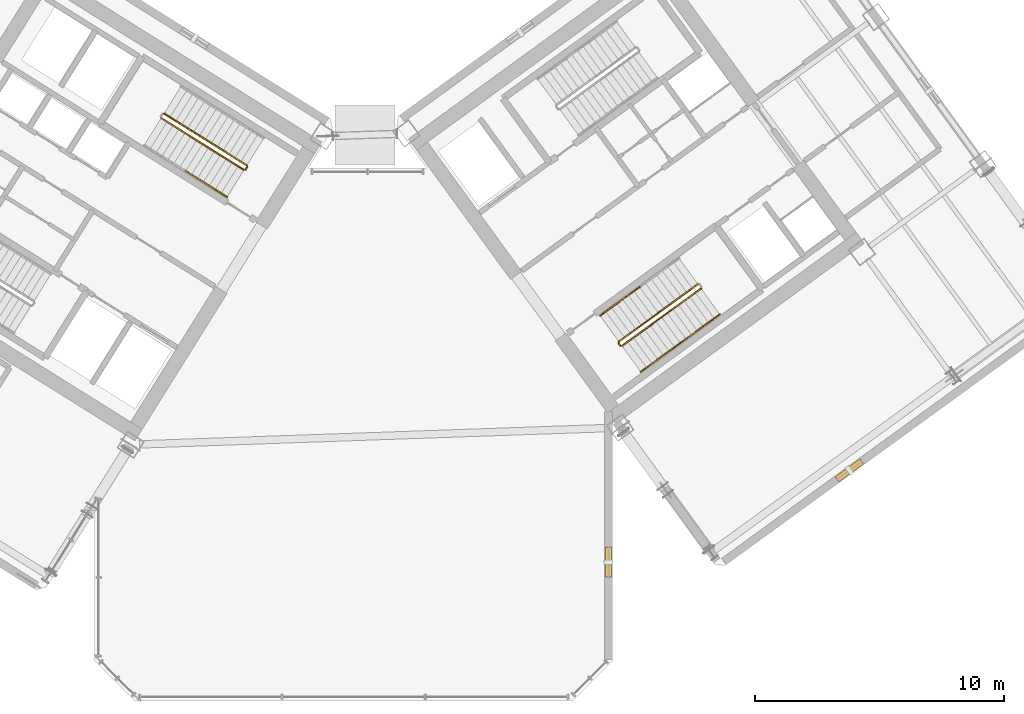
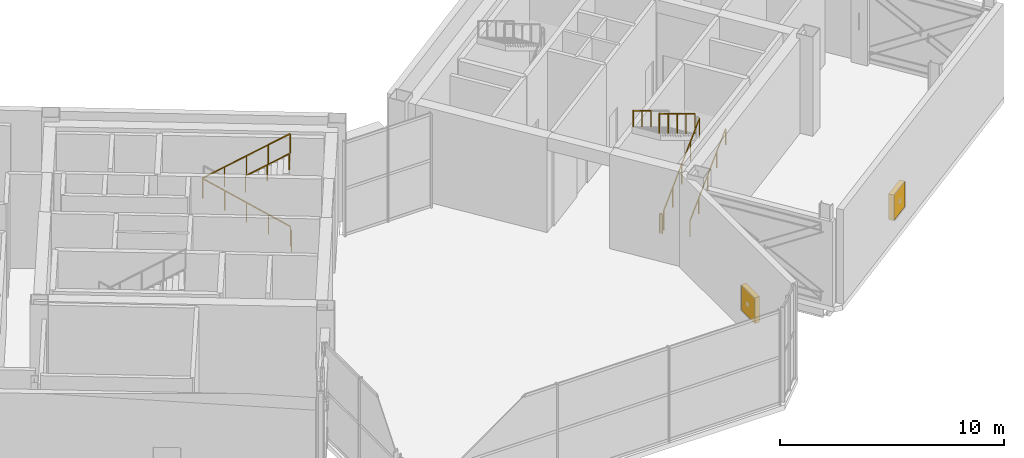
# One storey, part 28 of 30: 10 railings, 2 shading devices.
"""IFC4 building model written with IfcOpenShell, lengths in metres."""

from ifc_helpers import new_model, si_unit, direction, frame, origin, origin_2d, place, context, subcontext, project, spatial, rectangle, extrude, source, transform, mapped, material, type_object, element, save


model = new_model("IFC4")

# Units and contexts
model_context = context("Model", 3, precision=1e-05, world=origin(), true_north=direction((0.0, 1.0)))
body_context = subcontext(model_context, "Body", "Model", "MODEL_VIEW")
ifc_project = project(units=[si_unit("LENGTHUNIT", "METRE"), si_unit("AREAUNIT", "SQUARE_METRE"), si_unit("VOLUMEUNIT", "CUBIC_METRE"), si_unit("PLANEANGLEUNIT", "RADIAN"), si_unit("MASSUNIT", "GRAM", prefix="KILO")], contexts=[model_context])

# Site, building, storey
site_placement = place(None, origin())
site = spatial("IfcSite", under=ifc_project, at=site_placement, CompositionType="ELEMENT")
building_placement = place(site_placement, origin())
building = spatial("IfcBuilding", under=site, at=building_placement, Name="Tlacorven Tower", CompositionType="ELEMENT")
storey_placement = place(building_placement, frame((0.0, 0.0, 169.5)))
storey = spatial("IfcBuildingStorey", under=building, at=storey_placement, Name="L43", CompositionType="ELEMENT", Elevation=169.5)

# Shading devices
ifc_material_1 = material(Name="Anodised bronze aluminium acoustic louvre", Category="aluminium")
shading_device_type = type_object("IfcShadingDeviceType", Name="SH-LVR-WND", PredefinedType="JALOUSIE", material=ifc_material_1)
shared_shape_1 = source(origin(), body_context, "Body", "SweptSolid", [
    extrude(rectangle(XDim=1.2099609375, YDim=0.25, at=origin_2d()), origin(), (0.0, 0.0, 1.0), 1.39990234375),
])
for number, where, z_axis, x_axis, name in (
    (1, (61.909912109375, 11.0556640625, 0.949951171875), (0.0, 0.0, 1.0), (-0.809017097486, -0.587785110372, 0.0), "L43 Storm-Resistant Acoustic Louvre Bank 6.1"),
    (2, (52.239990234375, 7.374267578125, 0.949951171875), (0.0, 0.0, 1.0), (0.0, -1.0, 0.0), "L43 Storm-Resistant Acoustic Louvre Bank 8.1"),
):
    element("IfcShadingDevice", number, at=place(storey_placement, frame(where, z_axis=z_axis, x_axis=x_axis)), inside=storey, type_object=shading_device_type, Name=name, PredefinedType="JALOUSIE", context=body_context, shape_type="MappedRepresentation", body=[
        mapped(shared_shape_1, transform((0.0, 0.0, 0.0), scale=1.0)),
    ])

# Railings
ifc_material_2 = material(Name="Aluminium and painted steel balustrade", Category="steel")
railing_type_1 = type_object("IfcRailingType", Name="RL-GRD-1100", PredefinedType="GUARDRAIL", material=ifc_material_2)
shared_shape_2 = source(origin(), body_context, "Body", "SweptSolid", [
    extrude(rectangle(XDim=0.048095703125, YDim=0.048095703125, at=origin_2d()), frame((0.0, 0.0, 1.076171875), z_axis=(-0.530546985787, -0.847655529016, 0.0), x_axis=(0.847655529016, -0.530546985787, 0.0)), (0.0, 0.0, 1.0), 0.1201171875),
    extrude(rectangle(XDim=0.0419921875, YDim=0.0419921875, at=origin_2d()), origin(), (0.0, 0.0, 1.0), 1.052001953125),
    extrude(rectangle(XDim=0.0419921875, YDim=0.0419921875, at=origin_2d()), frame((-0.063720703125, -0.101806640625, 0.0)), (0.0, 0.0, 1.0), 1.052001953125),
])
railing_1_placement = place(storey_placement, frame((37.728271484375, 23.24072265625, 0.0)))
element("IfcRailing", 3, at=railing_1_placement, inside=storey, type_object=railing_type_1, Name="L43 ST-W2 stair guard 4", PredefinedType="GUARDRAIL", context=body_context, shape_type="MappedRepresentation", body=[
    mapped(shared_shape_2, transform((0.0, 0.0, 0.0), scale=1.0)),
])
shared_shape_3 = source(origin(), body_context, "Body", "SweptSolid", [
    extrude(rectangle(XDim=0.048095703125, YDim=0.048095703125, at=origin_2d()), frame((0.0, 0.0, 1.076171875), z_axis=(-0.713353726602, 0.445741297439, 0.540778287749), x_axis=(-0.52990936055, -0.848054284584, 0.0)), (0.0, 0.0, 1.0), 4.659912109375),
    extrude(rectangle(XDim=0.0419921875, YDim=0.0419921875, at=origin_2d()), origin(), (0.0, 0.0, 1.0), 1.052001953125),
    extrude(rectangle(XDim=0.0419921875, YDim=0.0419921875, at=origin_2d()), frame((-0.8310546875, 0.519287109375, 0.6298828125)), (0.0, 0.0, 1.0), 1.052001953125),
    extrude(rectangle(XDim=0.0419921875, YDim=0.0419921875, at=origin_2d()), frame((-1.662109375, 1.03857421875, 1.260009765625)), (0.0, 0.0, 1.0), 1.052001953125),
    extrude(rectangle(XDim=0.0419921875, YDim=0.0419921875, at=origin_2d()), frame((-2.4931640625, 1.557861328125, 1.89013671875)), (0.0, 0.0, 1.0), 1.052001953125),
    extrude(rectangle(XDim=0.0419921875, YDim=0.0419921875, at=origin_2d()), frame((-3.32421875, 2.0771484375, 2.52001953125)), (0.0, 0.0, 1.0), 1.052001953125),
])
railing_2_placement = place(storey_placement, frame((37.712158203125, 23.3095703125, 0.179931640625)))
element("IfcRailing", 4, at=railing_2_placement, inside=storey, type_object=railing_type_1, Name="L43 ST-W2 stair guard 1", PredefinedType="GUARDRAIL", context=body_context, shape_type="MappedRepresentation", body=[
    mapped(shared_shape_3, transform((0.0, 0.0, 0.0), scale=1.0)),
])
shared_shape_4 = source(origin(), body_context, "Body", "SweptSolid", [
    extrude(rectangle(XDim=0.048095703125, YDim=0.048095703125, at=origin_2d()), frame((0.0, 0.0, 1.076171875), z_axis=(0.713379455689, -0.445724638981, 0.540758077523), x_axis=(0.529881371968, 0.848071772695, 0.0)), (0.0, 0.0, 1.0), 4.66015625),
    extrude(rectangle(XDim=0.0419921875, YDim=0.0419921875, at=origin_2d()), origin(), (0.0, 0.0, 1.0), 1.052001953125),
    extrude(rectangle(XDim=0.0419921875, YDim=0.0419921875, at=origin_2d()), frame((0.8310546875, -0.519287109375, 0.6298828125)), (0.0, 0.0, 1.0), 1.052001953125),
    extrude(rectangle(XDim=0.0419921875, YDim=0.0419921875, at=origin_2d()), frame((1.662109375, -1.03857421875, 1.260009765625)), (0.0, 0.0, 1.0), 1.052001953125),
    extrude(rectangle(XDim=0.0419921875, YDim=0.0419921875, at=origin_2d()), frame((2.493408203125, -1.557861328125, 1.89013671875)), (0.0, 0.0, 1.0), 1.052001953125),
    extrude(rectangle(XDim=0.0419921875, YDim=0.0419921875, at=origin_2d()), frame((3.324462890625, -2.0771484375, 2.52001953125)), (0.0, 0.0, 1.0), 1.052001953125),
])
railing_3_placement = place(storey_placement, frame((34.271240234375, 25.2001953125, 2.8798828125)))
element("IfcRailing", 5, at=railing_3_placement, inside=storey, type_object=railing_type_1, Name="L43 ST-W2 stair guard 3", PredefinedType="GUARDRAIL", context=body_context, shape_type="MappedRepresentation", body=[
    mapped(shared_shape_4, transform((0.0, 0.0, 0.0), scale=1.0)),
])
railing_type_2 = type_object("IfcRailingType", Name="RL-HND-0900", PredefinedType="HANDRAIL", material=ifc_material_2)
shared_shape_5 = source(origin(), body_context, "Body", "SweptSolid", [
    extrude(rectangle(XDim=0.048095703125, YDim=0.048095703125, at=origin_2d()), frame((0.0, 0.0, 0.8759765625), z_axis=(0.713371865327, -0.445791935228, 0.540712615208), x_axis=(0.529942963146, 0.848033286971, 0.0)), (0.0, 0.0, 1.0), 2.330322265625),
    extrude(rectangle(XDim=0.0419921875, YDim=0.0419921875, at=origin_2d()), origin(), (0.0, 0.0, 1.0), 0.851806640625),
    extrude(rectangle(XDim=0.0419921875, YDim=0.0419921875, at=origin_2d()), frame((0.8310546875, -0.51953125, 0.6298828125)), (0.0, 0.0, 1.0), 0.851806640625),
    extrude(rectangle(XDim=0.0419921875, YDim=0.0419921875, at=origin_2d()), frame((1.662353515625, -1.038818359375, 1.260009765625)), (0.0, 0.0, 1.0), 0.851806640625),
])
railing_4_placement = place(storey_placement, frame((35.255126953125, 23.076171875, 4.139892578125)))
element("IfcRailing", 6, at=railing_4_placement, inside=storey, type_object=railing_type_2, Name="L43 ST-W2 stair handrail 4", PredefinedType="HANDRAIL", context=body_context, shape_type="MappedRepresentation", body=[
    mapped(shared_shape_5, transform((0.0, 0.0, 0.0), scale=1.0)),
])
shared_shape_6 = source(origin(), body_context, "Body", "SweptSolid", [
    extrude(rectangle(XDim=0.048095703125, YDim=0.048095703125, at=origin_2d()), frame((0.0, 0.0, 1.076171875), z_axis=(-0.587567097037, 0.809175448515, 0.0), x_axis=(-0.809175448515, -0.587567097037, 0.0)), (0.0, 0.0, 1.0), 0.1201171875),
    extrude(rectangle(XDim=0.0419921875, YDim=0.0419921875, at=origin_2d()), origin(), (0.0, 0.0, 1.0), 1.052001953125),
    extrude(rectangle(XDim=0.0419921875, YDim=0.0419921875, at=origin_2d()), frame((-0.070556640625, 0.09716796875, 0.0)), (0.0, 0.0, 1.0), 1.052001953125),
])
railing_5_placement = place(storey_placement, frame((52.71142578125, 16.065673828125, 0.0)))
element("IfcRailing", 7, at=railing_5_placement, inside=storey, type_object=railing_type_1, Name="L43 ST-E2 stair guard 4", PredefinedType="GUARDRAIL", context=body_context, shape_type="MappedRepresentation", body=[
    mapped(shared_shape_6, transform((0.0, 0.0, 0.0), scale=1.0)),
])
shared_shape_7 = source(origin(), body_context, "Body", "SweptSolid", [
    extrude(rectangle(XDim=0.048095703125, YDim=0.048095703125, at=origin_2d()), frame((0.0, 0.0, 1.076171875), z_axis=(-0.680542536252, -0.494401841002, 0.540766748206), x_axis=(0.587753152711, -0.809040315113, 0.0)), (0.0, 0.0, 1.0), 4.66015625),
    extrude(rectangle(XDim=0.0419921875, YDim=0.0419921875, at=origin_2d()), origin(), (0.0, 0.0, 1.0), 1.052001953125),
    extrude(rectangle(XDim=0.0419921875, YDim=0.0419921875, at=origin_2d()), frame((-0.79296875, -0.575927734375, 0.6298828125)), (0.0, 0.0, 1.0), 1.052001953125),
    extrude(rectangle(XDim=0.0419921875, YDim=0.0419921875, at=origin_2d()), frame((-1.585693359375, -1.15185546875, 1.260009765625)), (0.0, 0.0, 1.0), 1.052001953125),
    extrude(rectangle(XDim=0.0419921875, YDim=0.0419921875, at=origin_2d()), frame((-2.37841796875, -1.72802734375, 1.89013671875)), (0.0, 0.0, 1.0), 1.052001953125),
    extrude(rectangle(XDim=0.0419921875, YDim=0.0419921875, at=origin_2d()), frame((-3.17138671875, -2.303955078125, 2.52001953125)), (0.0, 0.0, 1.0), 1.052001953125),
])
railing_6_placement = place(storey_placement, frame((55.8232421875, 18.53662109375, 2.8798828125)))
element("IfcRailing", 8, at=railing_6_placement, inside=storey, type_object=railing_type_1, Name="L43 ST-E2 stair guard 3", PredefinedType="GUARDRAIL", context=body_context, shape_type="MappedRepresentation", body=[
    mapped(shared_shape_7, transform((0.0, 0.0, 0.0), scale=1.0)),
])
shared_shape_8 = source(origin(), body_context, "Body", "SweptSolid", [
    extrude(rectangle(XDim=0.048095703125, YDim=0.048095703125, at=origin_2d()), frame((0.0, 0.0, 0.8759765625), z_axis=(0.680524908878, 0.494441423402, 0.540752741297), x_axis=(-0.587793916777, 0.809010699188, 0.0)), (0.0, 0.0, 1.0), 2.330078125),
    extrude(rectangle(XDim=0.0419921875, YDim=0.0419921875, at=origin_2d()), origin(), (0.0, 0.0, 1.0), 0.851806640625),
    extrude(rectangle(XDim=0.0419921875, YDim=0.0419921875, at=origin_2d()), frame((0.79296875, 0.576171875, 0.6298828125)), (0.0, 0.0, 1.0), 0.851806640625),
    extrude(rectangle(XDim=0.0419921875, YDim=0.0419921875, at=origin_2d()), frame((1.585693359375, 1.152099609375, 1.260009765625)), (0.0, 0.0, 1.0), 0.851806640625),
])
railing_7_placement = place(storey_placement, frame((53.53369140625, 15.01904296875, 0.179931640625)))
element("IfcRailing", 9, at=railing_7_placement, inside=storey, type_object=railing_type_2, Name="L43 ST-E2 stair handrail 1", PredefinedType="HANDRAIL", context=body_context, shape_type="MappedRepresentation", body=[
    mapped(shared_shape_8, transform((0.0, 0.0, 0.0), scale=1.0)),
])
shared_shape_9 = source(origin(), body_context, "Body", "SweptSolid", [
    extrude(rectangle(XDim=0.048095703125, YDim=0.048095703125, at=origin_2d()), frame((0.0, 0.0, 0.8759765625), z_axis=(-0.680524908878, -0.494441423402, 0.540752741297), x_axis=(0.587793916777, -0.809010699188, 0.0)), (0.0, 0.0, 1.0), 2.330078125),
    extrude(rectangle(XDim=0.0419921875, YDim=0.0419921875, at=origin_2d()), origin(), (0.0, 0.0, 1.0), 0.851806640625),
    extrude(rectangle(XDim=0.0419921875, YDim=0.0419921875, at=origin_2d()), frame((-0.79296875, -0.576171875, 0.6298828125)), (0.0, 0.0, 1.0), 0.851806640625),
    extrude(rectangle(XDim=0.0419921875, YDim=0.0419921875, at=origin_2d()), frame((-1.585693359375, -1.152099609375, 1.260009765625)), (0.0, 0.0, 1.0), 0.851806640625),
])
railing_8_placement = place(storey_placement, frame((53.4853515625, 18.420166015625, 4.139892578125)))
element("IfcRailing", 10, at=railing_8_placement, inside=storey, type_object=railing_type_2, Name="L43 ST-E2 stair handrail 4", PredefinedType="HANDRAIL", context=body_context, shape_type="MappedRepresentation", body=[
    mapped(shared_shape_9, transform((0.0, 0.0, 0.0), scale=1.0)),
])
shared_shape_10 = source(origin(), body_context, "Body", "SweptSolid", [
    extrude(rectangle(XDim=0.048095703125, YDim=0.048095703125, at=origin_2d()), frame((0.0, 0.0, 1.076171875), z_axis=(0.680542536252, 0.494401841002, 0.540766748206), x_axis=(-0.587753152711, 0.809040315113, 0.0)), (0.0, 0.0, 1.0), 4.66015625),
    extrude(rectangle(XDim=0.0419921875, YDim=0.0419921875, at=origin_2d()), origin(), (0.0, 0.0, 1.0), 1.052001953125),
    extrude(rectangle(XDim=0.0419921875, YDim=0.0419921875, at=origin_2d()), frame((0.79296875, 0.575927734375, 0.6298828125)), (0.0, 0.0, 1.0), 1.052001953125),
    extrude(rectangle(XDim=0.0419921875, YDim=0.0419921875, at=origin_2d()), frame((1.585693359375, 1.15185546875, 1.260009765625)), (0.0, 0.0, 1.0), 1.052001953125),
    extrude(rectangle(XDim=0.0419921875, YDim=0.0419921875, at=origin_2d()), frame((2.37841796875, 1.72802734375, 1.89013671875)), (0.0, 0.0, 1.0), 1.052001953125),
    extrude(rectangle(XDim=0.0419921875, YDim=0.0419921875, at=origin_2d()), frame((3.17138671875, 2.303955078125, 2.52001953125)), (0.0, 0.0, 1.0), 1.052001953125),
])
railing_9_placement = place(storey_placement, frame((52.78125, 16.0546875, 0.179931640625)))
element("IfcRailing", 11, at=railing_9_placement, inside=storey, type_object=railing_type_1, Name="L43 ST-E2 stair guard 1", PredefinedType="GUARDRAIL", context=body_context, shape_type="MappedRepresentation", body=[
    mapped(shared_shape_10, transform((0.0, 0.0, 0.0), scale=1.0)),
])
shared_shape_11 = source(origin(), body_context, "Body", "SweptSolid", [
    extrude(rectangle(XDim=0.048095703125, YDim=0.048095703125, at=origin_2d()), frame((0.0, 0.0, 0.8759765625), z_axis=(0.680468649714, 0.494476679704, 0.540791299842), x_axis=(-0.587853152907, 0.808967657337, 0.0)), (0.0, 0.0, 1.0), 2.329833984375),
    extrude(rectangle(XDim=0.0419921875, YDim=0.0419921875, at=origin_2d()), origin(), (0.0, 0.0, 1.0), 0.851806640625),
    extrude(rectangle(XDim=0.0419921875, YDim=0.0419921875, at=origin_2d()), frame((0.792724609375, 0.576171875, 0.6298828125)), (0.0, 0.0, 1.0), 0.851806640625),
    extrude(rectangle(XDim=0.0419921875, YDim=0.0419921875, at=origin_2d()), frame((1.58544921875, 1.152099609375, 1.260009765625)), (0.0, 0.0, 1.0), 0.851806640625),
])
railing_10_placement = place(storey_placement, frame((55.119384765625, 16.171142578125, 1.43994140625)))
element("IfcRailing", 12, at=railing_10_placement, inside=storey, type_object=railing_type_2, Name="L43 ST-E2 stair handrail 2", PredefinedType="HANDRAIL", context=body_context, shape_type="MappedRepresentation", body=[
    mapped(shared_shape_11, transform((0.0, 0.0, 0.0), scale=1.0)),
])

save(model, "model.ifc")
